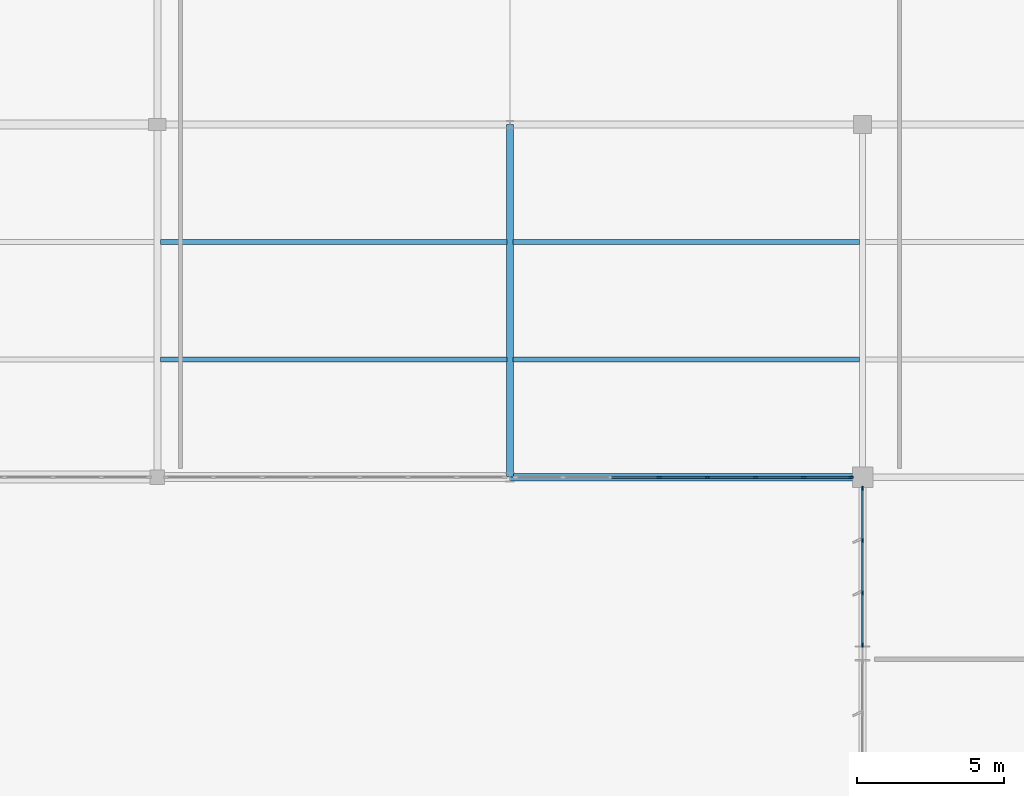
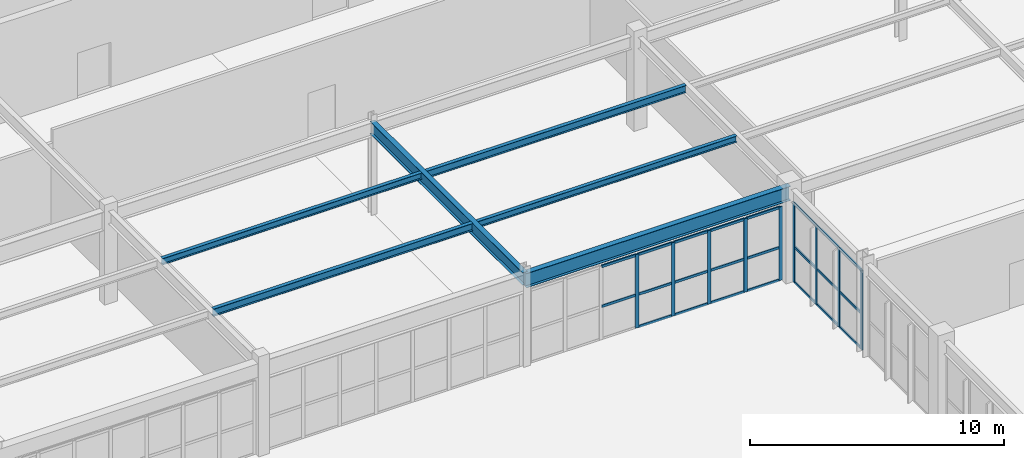
# One storey, part 86 of 199: 32 members, 6 beams, 2 elements without a shape of their own.
"""IFC4 building model written with IfcOpenShell, lengths in metres."""

import ifcopenshell
import ifcopenshell.guid

model = None  # the IFC model being written
_history = None  # IfcOwnerHistory: only IFC2X3 demands one
_inside = {}  # id of a spatial element -> (the spatial element, [elements in it])
_under = {}  # id of a project, library or spatial element -> (it, [spatial elements below it])
_declared = {}  # id of a project -> (the project, [libraries it declares])
_typed = {}  # id of a type object -> (the type object, [elements of that type])
_made_of = {}  # id of a material, layer set ... -> (it, [elements and type objects made of it])


def new_model(schema):
    """Start an empty IFC model of exactly this schema.

    Asked for "IFC4X3", IfcOpenShell would pick the latest addendum, in which some entities
    have other attributes; the version numbers below select the first issue.
    IFC2X3 requires an IfcOwnerHistory on every rooted entity: one is made here for all.
    """
    global model, _history
    if schema == "IFC4X3":
        model = ifcopenshell.file(schema_version=(4, 3, 0, 0))
    else:
        model = ifcopenshell.file(schema=schema)
    _inside.clear()
    _under.clear()
    _declared.clear()
    _typed.clear()
    _made_of.clear()
    _history = None
    if model.schema == "IFC2X3":
        org = make("IfcOrganization", Name="unknown")
        user = make(
            "IfcPersonAndOrganization",
            ThePerson=make("IfcPerson", FamilyName="unknown"),
            TheOrganization=org,
        )
        app = make(
            "IfcApplication",
            ApplicationDeveloper=org,
            Version="unknown",
            ApplicationFullName="unknown",
            ApplicationIdentifier="unknown",
        )
        _history = make(
            "IfcOwnerHistory",
            OwningUser=user,
            OwningApplication=app,
            ChangeAction="ADDED",
            CreationDate=0,
        )
    return model


def make(cls, **values):
    """One entity of the class cls with the attributes given. An attribute that is None is left unset."""
    return model.create_entity(
        cls, **{name: value for name, value in values.items() if value is not None}
    )


def rooted(cls, **values):
    """An entity with a GlobalId (a new one), such as an element, a storey or a relation."""
    return make(cls, GlobalId=ifcopenshell.guid.new(), OwnerHistory=_history, **values)


def si_unit(unit_type, name, prefix=None):
    """IfcSIUnit, for example si_unit("LENGTHUNIT", "METRE", prefix="MILLI")."""
    return make("IfcSIUnit", UnitType=unit_type, Prefix=prefix, Name=name)


def assignment(units):
    """IfcUnitAssignment: the units of a project."""
    return None if units is None else make("IfcUnitAssignment", Units=units)


def point(xyz):
    """IfcCartesianPoint."""
    return None if xyz is None else make("IfcCartesianPoint", Coordinates=xyz)


def direction(xyz):
    """IfcDirection."""
    return None if xyz is None else make("IfcDirection", DirectionRatios=xyz)


def frame(location, z_axis=None, x_axis=None):
    """IfcAxis2Placement3D, a coordinate frame: its origin and axes. An axis left out is left unset."""
    return make(
        "IfcAxis2Placement3D",
        Location=point(location),
        Axis=direction(z_axis),
        RefDirection=direction(x_axis),
    )


def frame_2d(location, x_axis=None):
    """IfcAxis2Placement2D, a coordinate frame in the plane: its origin and x axis."""
    return make(
        "IfcAxis2Placement2D", Location=point(location), RefDirection=direction(x_axis)
    )


def origin():
    """The frame at (0, 0, 0) with its axes left unset."""
    return frame((0.0, 0.0, 0.0))


def origin_2d():
    """The frame at (0, 0) in the plane with its x axis left unset."""
    return frame_2d((0.0, 0.0))


def place(relative_to, where):
    """IfcLocalPlacement: puts the frame where relative to a parent placement (None: the world)."""
    return make(
        "IfcLocalPlacement", PlacementRelTo=relative_to, RelativePlacement=where
    )


def context(
    kind, dimensions, precision=None, world=None, true_north=None, identifier=None
):
    """IfcGeometricRepresentationContext, for example the 3D "Model" context."""
    return make(
        "IfcGeometricRepresentationContext",
        ContextIdentifier=identifier,
        ContextType=kind,
        CoordinateSpaceDimension=dimensions,
        Precision=precision,
        WorldCoordinateSystem=world,
        TrueNorth=true_north,
    )


def subcontext(parent, identifier, kind, view, scale=None):
    """IfcGeometricRepresentationSubContext, for example "Body" below "Model"."""
    return make(
        "IfcGeometricRepresentationSubContext",
        ContextIdentifier=identifier,
        ContextType=kind,
        ParentContext=parent,
        TargetScale=scale,
        TargetView=view,
    )


def project(units=None, contexts=None):
    """IfcProject with its units and contexts."""
    return rooted(
        "IfcProject",
        Name="project",
        RepresentationContexts=contexts,
        UnitsInContext=assignment(units),
    )


def spatial(cls, under=None, at=None, **own):
    """A site, building, storey or space (cls), placed at a placement, below another one or the project."""
    s = rooted(cls, ObjectPlacement=at, **own)
    if under is not None:
        _under.setdefault(under.id(), (under, []))[1].append(s)
    return s


def profile(cls, at=None, kind="AREA", **sizes):
    """A parametric profile (cls). Its sizes go by their IFC names, for example OverallWidth=200.0."""
    return make(cls, ProfileType=kind, Position=at, **sizes)


def rectangle(**sizes):
    """IfcRectangleProfileDef."""
    return profile("IfcRectangleProfileDef", **sizes)


def i_section(**sizes):
    """IfcIShapeProfileDef."""
    return profile("IfcIShapeProfileDef", **sizes)


def extrude(swept, where, along, depth):
    """IfcExtrudedAreaSolid: the profile swept, set in the frame where, extruded along a direction by depth."""
    return make(
        "IfcExtrudedAreaSolid",
        SweptArea=swept,
        Position=where,
        ExtrudedDirection=direction(along),
        Depth=depth,
    )


def shape(context_of_items, identifier, shape_type, items):
    """IfcShapeRepresentation: the items that make up one representation, for example the "Body"."""
    return make(
        "IfcShapeRepresentation",
        ContextOfItems=context_of_items,
        RepresentationIdentifier=identifier,
        RepresentationType=shape_type,
        Items=items,
    )


def material(Name=None, Category=None):
    """IfcMaterial."""
    return make("IfcMaterial", Name=Name, Category=Category)


def layer(
    of_material, thickness, ventilated=None, Name=None, Category=None, Priority=None
):
    """IfcMaterialLayer: one layer of a wall or slab, of a material (None: an air gap)."""
    return make(
        "IfcMaterialLayer",
        Material=of_material,
        LayerThickness=thickness,
        IsVentilated=ventilated,
        Name=Name,
        Category=Category,
        Priority=Priority,
    )


def layer_set(layers, Name=None):
    """IfcMaterialLayerSet."""
    return make("IfcMaterialLayerSet", MaterialLayers=layers, LayerSetName=Name)


def material_profile(
    of_material, cross_section, Name=None, Category=None, Priority=None
):
    """IfcMaterialProfile: a cross section and its material."""
    return make(
        "IfcMaterialProfile",
        Name=Name,
        Material=of_material,
        Profile=cross_section,
        Priority=Priority,
        Category=Category,
    )


def profile_set(profiles, Name=None, composite=None):
    """IfcMaterialProfileSet."""
    return make(
        "IfcMaterialProfileSet",
        Name=Name,
        MaterialProfiles=profiles,
        CompositeProfile=composite,
    )


def made_of(thing, what):
    """Note that an element or type object is made of a material, layer set ...; save() writes the relation."""
    if what is not None:
        _made_of.setdefault(what.id(), (what, []))[1].append(thing)
    return thing


def type_object(cls, material=None, **own):
    """A type object (cls), such as IfcWallType, which elements share."""
    return made_of(rooted(cls, **own), material)


def element(
    cls,
    number,
    at=None,
    inside=None,
    cuts=None,
    type_object=None,
    material=None,
    context=None,
    identifier="Body",
    shape_type=None,
    held_by="IfcProductDefinitionShape",
    body=None,
    shapes=None,
    **own,
):
    """One element of the class cls, such as IfcWall. Its Tag is "e" and its number.

    at: its placement. inside: the storey or other place that contains it. cuts: it is an
    opening in that element (IfcRelVoidsElement). A single representation is given by context,
    identifier, shape_type and body (its items); several are given by shapes. held_by: the class
    of the entity that holds the representations. save() writes the other relations.
    """
    e = rooted(cls, Tag="e%d" % number, ObjectPlacement=at, **own)
    if body is not None:
        shapes = [shape(context, identifier, shape_type, body)]
    if shapes is not None:
        e.Representation = make(held_by, Representations=shapes)
    if inside is not None:
        _inside.setdefault(inside.id(), (inside, []))[1].append(e)
    if cuts is not None:
        rooted(
            "IfcRelVoidsElement", RelatingBuildingElement=cuts, RelatedOpeningElement=e
        )
    if type_object is not None:
        _typed.setdefault(type_object.id(), (type_object, []))[1].append(e)
    return made_of(e, material)


def aggregate(whole, parts):
    """IfcRelAggregates: a whole, such as a stair, and the parts it consists of."""
    return rooted("IfcRelAggregates", RelatingObject=whole, RelatedObjects=parts)


def save(model, path):
    """Write the relations noted so far, then the file.

    IfcRelAggregates (storeys below a building ...), IfcRelContainedInSpatialStructure (elements
    in a storey), IfcRelDefinesByType, IfcRelAssociatesMaterial and IfcRelDeclares: one each for
    every whole, place, type object, material and project.
    """
    for whole, parts in _under.values():
        aggregate(whole, parts)
    for where, things in _inside.values():
        rooted(
            "IfcRelContainedInSpatialStructure",
            RelatedElements=things,
            RelatingStructure=where,
        )
    for kind, things in _typed.values():
        rooted("IfcRelDefinesByType", RelatedObjects=things, RelatingType=kind)
    for what, things in _made_of.values():
        rooted("IfcRelAssociatesMaterial", RelatedObjects=things, RelatingMaterial=what)
    for by, libraries in _declared.values():
        rooted("IfcRelDeclares", RelatingContext=by, RelatedDefinitions=libraries)
    model.write(path)


model = new_model("IFC4")

# Units and contexts
model_context = context("Model", 3, precision=1e-05, world=origin(), true_north=direction((0.0, 1.0)))
body_context = subcontext(model_context, "Body", "Model", "MODEL_VIEW")
ifc_project = project(units=[si_unit("LENGTHUNIT", "METRE"), si_unit("AREAUNIT", "SQUARE_METRE"), si_unit("VOLUMEUNIT", "CUBIC_METRE"), si_unit("PLANEANGLEUNIT", "RADIAN"), si_unit("MASSUNIT", "GRAM", prefix="KILO")], contexts=[model_context])

# Site, building, storey
site_placement = place(None, origin())
site = spatial("IfcSite", under=ifc_project, at=site_placement, CompositionType="ELEMENT")
building_placement = place(site_placement, origin())
building = spatial("IfcBuilding", under=site, at=building_placement, Name="Tarnwether General Hospital", CompositionType="ELEMENT")
storey_placement = place(building_placement, origin())
storey = spatial("IfcBuildingStorey", under=building, at=storey_placement, Name="L00", CompositionType="ELEMENT", Elevation=0.0)

# Beams
ifc_material_1 = material(Name="Steel Grade 350 (350 MPa)", Category="steel")
ifc_material_profile_1 = material_profile(ifc_material_1, i_section(OverallWidth=0.25, OverallDepth=0.69189453125, WebThickness=0.009033203125, FlangeThickness=0.01611328125, at=origin_2d()), Name="700WB115")
ifc_profile_set_1 = profile_set([ifc_material_profile_1], Name="Steel Grade 350 (350 MPa)")
beam_type_1 = type_object("IfcBeamType", Name="BM-G02", PredefinedType="BEAM", material=ifc_profile_set_1)
beam_1_placement = place(storey_placement, frame((96.0, 81.60009765625, 4.09912109375), z_axis=(1.0, 0.0, 0.0), x_axis=(0.0, 1.0, 0.0)))
element("IfcBeam", 1, at=beam_1_placement, inside=storey, type_object=beam_type_1, Name="Primary Girder BMG-L00-9600_8160-10800_8160-0739", PredefinedType="BEAM", context=body_context, shape_type="SweptSolid", body=[
    extrude(i_section(OverallWidth=0.25, OverallDepth=0.69189453125, WebThickness=0.009033203125, FlangeThickness=0.01611328125, at=origin_2d()), origin(), (0.0, 0.0, 1.0), 12.0),
])
ifc_material_2 = material(Name="Steel Grade 350 (350 MPa)", Category="steel")
ifc_material_profile_2 = material_profile(ifc_material_2, i_section(OverallWidth=0.22802734375, OverallDepth=0.60205078125, WebThickness=0.010498046875, FlangeThickness=0.014892578125, at=origin_2d()), Name="610UB101")
ifc_profile_set_2 = profile_set([ifc_material_profile_2], Name="Steel Grade 350 (350 MPa)")
beam_type_2 = type_object("IfcBeamType", Name="BM-G05", PredefinedType="BEAM", material=ifc_profile_set_2)
beam_2_placement = place(storey_placement, frame((96.0, 81.60009765625, 4.14404296875), z_axis=(0.0, 1.0, 0.0), x_axis=(-1.0, 0.0, 0.0)))
element("IfcBeam", 2, at=beam_2_placement, inside=storey, type_object=beam_type_2, Name="Primary Girder BMG-L00-9600_8160-9600_9360-0740", PredefinedType="BEAM", context=body_context, shape_type="SweptSolid", body=[
    extrude(i_section(OverallWidth=0.22802734375, OverallDepth=0.60205078125, WebThickness=0.010498046875, FlangeThickness=0.014892578125, at=origin_2d()), origin(), (0.0, 0.0, 1.0), 12.0),
])
ifc_material_3 = material(Name="Steel Grade 350 (350 MPa)", Category="steel")
ifc_material_profile_3 = material_profile(ifc_material_3, i_section(OverallWidth=0.1708984375, OverallDepth=0.35595703125, WebThickness=0.00732421875, FlangeThickness=0.011474609375, at=origin_2d()), Name="360UB50.7")
ifc_profile_set_3 = profile_set([ifc_material_profile_3], Name="Steel Grade 350 (350 MPa)")
beam_type_3 = type_object("IfcBeamType", Name="BM-J04", PredefinedType="JOIST", material=ifc_profile_set_3)
beam_3_placement = place(storey_placement, frame((84.10791015625, 85.60009765625, 4.26708984375), z_axis=(1.0, 0.0, 0.0), x_axis=(0.0, 1.0, 0.0)))
element("IfcBeam", 3, at=beam_3_placement, inside=storey, type_object=beam_type_3, Name="Composite Floor Joist BMG-L00-8411_8560-9589_8560-0977", PredefinedType="JOIST", context=body_context, shape_type="SweptSolid", body=[
    extrude(i_section(OverallWidth=0.1708984375, OverallDepth=0.35595703125, WebThickness=0.00732421875, FlangeThickness=0.011474609375, at=origin_2d()), origin(), (0.0, 0.0, 1.0), 11.7841796875),
])
ifc_material_4 = material(Name="Steel Grade 350 (350 MPa)", Category="steel")
ifc_material_profile_4 = material_profile(ifc_material_4, i_section(OverallWidth=0.166015625, OverallDepth=0.306884765625, WebThickness=0.006591796875, FlangeThickness=0.01171875, at=origin_2d()), Name="310UB46.2")
ifc_profile_set_4 = profile_set([ifc_material_profile_4], Name="Steel Grade 350 (350 MPa)")
beam_type_4 = type_object("IfcBeamType", Name="BM-J05", PredefinedType="JOIST", material=ifc_profile_set_4)
beam_4_placement = place(storey_placement, frame((84.10791015625, 89.60009765625, 4.29150390625), z_axis=(1.0, 0.0, 0.0), x_axis=(0.0, 1.0, 0.0)))
element("IfcBeam", 4, at=beam_4_placement, inside=storey, type_object=beam_type_4, Name="Composite Floor Joist BMG-L00-8411_8960-9589_8960-0978", PredefinedType="JOIST", context=body_context, shape_type="SweptSolid", body=[
    extrude(i_section(OverallWidth=0.166015625, OverallDepth=0.306884765625, WebThickness=0.006591796875, FlangeThickness=0.01171875, at=origin_2d()), origin(), (0.0, 0.0, 1.0), 11.7841796875),
])
beam_5_placement = place(storey_placement, frame((96.10791015625, 85.60009765625, 4.29150390625), z_axis=(1.0, 0.0, 0.0), x_axis=(0.0, 1.0, 0.0)))
element("IfcBeam", 5, at=beam_5_placement, inside=storey, type_object=beam_type_4, Name="Composite Floor Joist BMG-L00-9611_8560-10790_8560-0985", PredefinedType="JOIST", context=body_context, shape_type="SweptSolid", body=[
    extrude(i_section(OverallWidth=0.166015625, OverallDepth=0.306884765625, WebThickness=0.006591796875, FlangeThickness=0.01171875, at=origin_2d()), origin(), (0.0, 0.0, 1.0), 11.79296875),
])
ifc_material_5 = material(Name="Steel Grade 350 (350 MPa)", Category="steel")
ifc_material_profile_5 = material_profile(ifc_material_5, i_section(OverallWidth=0.1708984375, OverallDepth=0.35205078125, WebThickness=0.0068359375, FlangeThickness=0.009765625, at=origin_2d()), Name="360UB44.7")
ifc_profile_set_5 = profile_set([ifc_material_profile_5], Name="Steel Grade 350 (350 MPa)")
beam_type_5 = type_object("IfcBeamType", Name="BM-J06", PredefinedType="JOIST", material=ifc_profile_set_5)
beam_6_placement = place(storey_placement, frame((96.10791015625, 89.60009765625, 4.26904296875), z_axis=(1.0, 0.0, 0.0), x_axis=(0.0, 1.0, 0.0)))
element("IfcBeam", 6, at=beam_6_placement, inside=storey, type_object=beam_type_5, Name="Composite Floor Joist BMG-L00-9611_8960-10790_8960-0986", PredefinedType="JOIST", context=body_context, shape_type="SweptSolid", body=[
    extrude(i_section(OverallWidth=0.1708984375, OverallDepth=0.35205078125, WebThickness=0.0068359375, FlangeThickness=0.009765625, at=origin_2d()), origin(), (0.0, 0.0, 1.0), 11.79296875),
])

# Curtain wall, members
ifc_material_6 = material(Name="Anodised aluminium", Category="aluminium")
ifc_layer_1 = layer(ifc_material_6, 0.179931640625)
ifc_layer_set_1 = layer_set([ifc_layer_1], Name="Anodised aluminium")
curtain_wall_type_1 = type_object("IfcCurtainWallType", Name="CW-08", PredefinedType="NOTDEFINED", material=ifc_layer_set_1)
curtain_wall_1_placement = place(storey_placement, origin())
curtain_wall_1 = element("IfcCurtainWall", 7, at=curtain_wall_1_placement, inside=storey, type_object=curtain_wall_type_1, Name="Curtain Wall CWG-L00-1080_759-0304", PredefinedType="NOTDEFINED")
ifc_material_7 = material(Name="Anodised aluminium", Category="aluminium")
ifc_material_profile_6 = material_profile(ifc_material_7, rectangle(XDim=0.06005859375, YDim=0.159912109375, at=origin_2d()), Name="ALU-MUL-60x160")
ifc_profile_set_6 = profile_set([ifc_material_profile_6], Name="Anodised aluminium")
member_type_1 = type_object("IfcMemberType", Name="CW-ML1", PredefinedType="MULLION", material=ifc_profile_set_6)
member_1_placement = place(storey_placement, frame((108.0, 75.887939453125, 0.0), z_axis=(0.0, 0.0, 1.0), x_axis=(-1.0, 0.0, 0.0)))
member_1 = element("IfcMember", 8, at=member_1_placement, type_object=member_type_1, Name="CW-08 mullion 1", PredefinedType="MULLION", context=body_context, shape_type="SweptSolid", body=[
    extrude(rectangle(XDim=0.06005859375, YDim=0.159912109375, at=origin_2d()), origin(), (0.0, 0.0, 1.0), 3.827880859375),
])
member_2_placement = place(storey_placement, frame((108.0, 77.652587890625, 0.0), z_axis=(0.0, 0.0, 1.0), x_axis=(-1.0, 0.0, 0.0)))
member_2 = element("IfcMember", 9, at=member_2_placement, type_object=member_type_1, Name="CW-08 mullion 2", PredefinedType="MULLION", context=body_context, shape_type="SweptSolid", body=[
    extrude(rectangle(XDim=0.06005859375, YDim=0.159912109375, at=origin_2d()), origin(), (0.0, 0.0, 1.0), 3.827880859375),
])
member_3_placement = place(storey_placement, frame((108.0, 79.447265625, 0.0), z_axis=(0.0, 0.0, 1.0), x_axis=(-1.0, 0.0, 0.0)))
member_3 = element("IfcMember", 10, at=member_3_placement, type_object=member_type_1, Name="CW-08 mullion 3", PredefinedType="MULLION", context=body_context, shape_type="SweptSolid", body=[
    extrude(rectangle(XDim=0.06005859375, YDim=0.159912109375, at=origin_2d()), origin(), (0.0, 0.0, 1.0), 3.827880859375),
])
member_4_placement = place(storey_placement, frame((108.0, 81.2119140625, 0.0), z_axis=(0.0, 0.0, 1.0), x_axis=(-1.0, 0.0, 0.0)))
member_4 = element("IfcMember", 11, at=member_4_placement, type_object=member_type_1, Name="CW-08 mullion 4", PredefinedType="MULLION", context=body_context, shape_type="SweptSolid", body=[
    extrude(rectangle(XDim=0.06005859375, YDim=0.159912109375, at=origin_2d()), origin(), (0.0, 0.0, 1.0), 3.827880859375),
])

ifc_material_8 = material(Name="Anodised aluminium", Category="aluminium")
ifc_layer_2 = layer(ifc_material_8, 0.159912109375)
ifc_layer_set_2 = layer_set([ifc_layer_2], Name="Anodised aluminium")
curtain_wall_type_2 = type_object("IfcCurtainWallType", Name="CW-23", PredefinedType="NOTDEFINED", material=ifc_layer_set_2)
curtain_wall_2_placement = place(storey_placement, origin())
curtain_wall_2 = element("IfcCurtainWall", 12, at=curtain_wall_2_placement, inside=storey, type_object=curtain_wall_type_2, Name="Curtain Wall CWG-L00-962_816-0308", PredefinedType="NOTDEFINED")
member_5_placement = place(storey_placement, frame((101.080810546875, 81.60009765625, 0.0), z_axis=(0.0, 0.0, 1.0), x_axis=(0.0, 1.0, 0.0)))
member_5 = element("IfcMember", 13, at=member_5_placement, type_object=member_type_1, Name="CW-23 mullion 4", PredefinedType="MULLION", context=body_context, shape_type="SweptSolid", body=[
    extrude(rectangle(XDim=0.06005859375, YDim=0.159912109375, at=origin_2d()), origin(), (0.0, 0.0, 1.0), 3.530029296875),
])
member_6_placement = place(storey_placement, frame((102.72119140625, 81.60009765625, 0.0), z_axis=(0.0, 0.0, 1.0), x_axis=(0.0, 1.0, 0.0)))
member_6 = element("IfcMember", 14, at=member_6_placement, type_object=member_type_1, Name="CW-23 mullion 5", PredefinedType="MULLION", context=body_context, shape_type="SweptSolid", body=[
    extrude(rectangle(XDim=0.06005859375, YDim=0.159912109375, at=origin_2d()), origin(), (0.0, 0.0, 1.0), 3.530029296875),
])
member_7_placement = place(storey_placement, frame((104.361328125, 81.60009765625, 0.0), z_axis=(0.0, 0.0, 1.0), x_axis=(0.0, 1.0, 0.0)))
member_7 = element("IfcMember", 15, at=member_7_placement, type_object=member_type_1, Name="CW-23 mullion 6", PredefinedType="MULLION", context=body_context, shape_type="SweptSolid", body=[
    extrude(rectangle(XDim=0.06005859375, YDim=0.159912109375, at=origin_2d()), origin(), (0.0, 0.0, 1.0), 3.530029296875),
])
member_8_placement = place(storey_placement, frame((106.001708984375, 81.60009765625, 0.0), z_axis=(0.0, 0.0, 1.0), x_axis=(0.0, 1.0, 0.0)))
member_8 = element("IfcMember", 16, at=member_8_placement, type_object=member_type_1, Name="CW-23 mullion 7", PredefinedType="MULLION", context=body_context, shape_type="SweptSolid", body=[
    extrude(rectangle(XDim=0.06005859375, YDim=0.159912109375, at=origin_2d()), origin(), (0.0, 0.0, 1.0), 3.530029296875),
])
member_9_placement = place(storey_placement, frame((107.612060546875, 81.60009765625, 0.0), z_axis=(0.0, 0.0, 1.0), x_axis=(0.0, 1.0, 0.0)))
member_9 = element("IfcMember", 17, at=member_9_placement, type_object=member_type_1, Name="CW-23 mullion 8", PredefinedType="MULLION", context=body_context, shape_type="SweptSolid", body=[
    extrude(rectangle(XDim=0.06005859375, YDim=0.159912109375, at=origin_2d()), origin(), (0.0, 0.0, 1.0), 3.530029296875),
])

# Member
ifc_material_9 = material(Name="Anodised aluminium", Category="aluminium")
ifc_material_profile_7 = material_profile(ifc_material_9, rectangle(XDim=0.06005859375, YDim=0.1201171875, at=origin_2d()), Name="ALU-TRN-60x120")
ifc_profile_set_7 = profile_set([ifc_material_profile_7], Name="Anodised aluminium")
member_type_2 = type_object("IfcMemberType", Name="CW-TR1", PredefinedType="USERDEFINED", material=ifc_profile_set_7)
member_10_placement = place(storey_placement, frame((108.0, 75.91796875, 0.030029296875), z_axis=(0.0, 1.0, 0.0), x_axis=(-1.0, 0.0, 0.0)))
member_10 = element("IfcMember", 18, at=member_10_placement, type_object=member_type_2, Name="CW-08 transom 1.1", ObjectType="TRANSOM", PredefinedType="USERDEFINED", context=body_context, shape_type="SweptSolid", body=[
    extrude(rectangle(XDim=0.06005859375, YDim=0.1201171875, at=origin_2d()), origin(), (0.0, 0.0, 1.0), 1.70458984375),
])

member_11_placement = place(storey_placement, frame((108.0, 75.91796875, 1.72265625), z_axis=(0.0, 1.0, 0.0), x_axis=(-1.0, 0.0, 0.0)))
member_11 = element("IfcMember", 19, at=member_11_placement, type_object=member_type_2, Name="CW-08 transom 1.2", ObjectType="TRANSOM", PredefinedType="USERDEFINED", context=body_context, shape_type="SweptSolid", body=[
    extrude(rectangle(XDim=0.06005859375, YDim=0.1201171875, at=origin_2d()), origin(), (0.0, 0.0, 1.0), 1.70458984375),
])

member_12_placement = place(storey_placement, frame((108.0, 75.91796875, 3.798095703125), z_axis=(0.0, 1.0, 0.0), x_axis=(-1.0, 0.0, 0.0)))
member_12 = element("IfcMember", 20, at=member_12_placement, type_object=member_type_2, Name="CW-08 transom 1.3", ObjectType="TRANSOM", PredefinedType="USERDEFINED", context=body_context, shape_type="SweptSolid", body=[
    extrude(rectangle(XDim=0.06005859375, YDim=0.1201171875, at=origin_2d()), origin(), (0.0, 0.0, 1.0), 1.70458984375),
])

member_13_placement = place(storey_placement, frame((108.0, 77.6826171875, 0.030029296875), z_axis=(0.0, 1.0, 0.0), x_axis=(-1.0, 0.0, 0.0)))
member_13 = element("IfcMember", 21, at=member_13_placement, type_object=member_type_2, Name="CW-08 transom 2.1", ObjectType="TRANSOM", PredefinedType="USERDEFINED", context=body_context, shape_type="SweptSolid", body=[
    extrude(rectangle(XDim=0.06005859375, YDim=0.1201171875, at=origin_2d()), origin(), (0.0, 0.0, 1.0), 1.734619140625),
])

member_14_placement = place(storey_placement, frame((108.0, 77.6826171875, 1.72265625), z_axis=(0.0, 1.0, 0.0), x_axis=(-1.0, 0.0, 0.0)))
member_14 = element("IfcMember", 22, at=member_14_placement, type_object=member_type_2, Name="CW-08 transom 2.2", ObjectType="TRANSOM", PredefinedType="USERDEFINED", context=body_context, shape_type="SweptSolid", body=[
    extrude(rectangle(XDim=0.06005859375, YDim=0.1201171875, at=origin_2d()), origin(), (0.0, 0.0, 1.0), 1.734619140625),
])

member_15_placement = place(storey_placement, frame((108.0, 77.6826171875, 3.798095703125), z_axis=(0.0, 1.0, 0.0), x_axis=(-1.0, 0.0, 0.0)))
member_15 = element("IfcMember", 23, at=member_15_placement, type_object=member_type_2, Name="CW-08 transom 2.3", ObjectType="TRANSOM", PredefinedType="USERDEFINED", context=body_context, shape_type="SweptSolid", body=[
    extrude(rectangle(XDim=0.06005859375, YDim=0.1201171875, at=origin_2d()), origin(), (0.0, 0.0, 1.0), 1.734619140625),
])

member_16_placement = place(storey_placement, frame((108.0, 79.477294921875, 0.030029296875), z_axis=(0.0, 1.0, 0.0), x_axis=(-1.0, 0.0, 0.0)))
member_16 = element("IfcMember", 24, at=member_16_placement, type_object=member_type_2, Name="CW-08 transom 3.1", ObjectType="TRANSOM", PredefinedType="USERDEFINED", context=body_context, shape_type="SweptSolid", body=[
    extrude(rectangle(XDim=0.06005859375, YDim=0.1201171875, at=origin_2d()), origin(), (0.0, 0.0, 1.0), 1.70458984375),
])

member_17_placement = place(storey_placement, frame((108.0, 79.477294921875, 1.72265625), z_axis=(0.0, 1.0, 0.0), x_axis=(-1.0, 0.0, 0.0)))
member_17 = element("IfcMember", 25, at=member_17_placement, type_object=member_type_2, Name="CW-08 transom 3.2", ObjectType="TRANSOM", PredefinedType="USERDEFINED", context=body_context, shape_type="SweptSolid", body=[
    extrude(rectangle(XDim=0.06005859375, YDim=0.1201171875, at=origin_2d()), origin(), (0.0, 0.0, 1.0), 1.70458984375),
])

member_18_placement = place(storey_placement, frame((108.0, 79.477294921875, 3.798095703125), z_axis=(0.0, 1.0, 0.0), x_axis=(-1.0, 0.0, 0.0)))
member_18 = element("IfcMember", 26, at=member_18_placement, type_object=member_type_2, Name="CW-08 transom 3.3", ObjectType="TRANSOM", PredefinedType="USERDEFINED", context=body_context, shape_type="SweptSolid", body=[
    extrude(rectangle(XDim=0.06005859375, YDim=0.1201171875, at=origin_2d()), origin(), (0.0, 0.0, 1.0), 1.70458984375),
])

aggregate(curtain_wall_1, [member_1, member_2, member_3, member_4, member_10, member_11, member_12, member_13, member_14, member_15, member_16, member_17, member_18])

member_19_placement = place(storey_placement, frame((99.470458984375, 81.60009765625, 1.58837890625), z_axis=(1.0, 0.0, 0.0), x_axis=(0.0, 1.0, 0.0)))
member_19 = element("IfcMember", 27, at=member_19_placement, type_object=member_type_2, Name="CW-23 transom 3.2", ObjectType="TRANSOM", PredefinedType="USERDEFINED", context=body_context, shape_type="SweptSolid", body=[
    extrude(rectangle(XDim=0.06005859375, YDim=0.1201171875, at=origin_2d()), origin(), (0.0, 0.0, 1.0), 1.580322265625),
])

member_20_placement = place(storey_placement, frame((99.470458984375, 81.60009765625, 3.5), z_axis=(1.0, 0.0, 0.0), x_axis=(0.0, 1.0, 0.0)))
member_20 = element("IfcMember", 28, at=member_20_placement, type_object=member_type_2, Name="CW-23 transom 3.3", ObjectType="TRANSOM", PredefinedType="USERDEFINED", context=body_context, shape_type="SweptSolid", body=[
    extrude(rectangle(XDim=0.06005859375, YDim=0.1201171875, at=origin_2d()), origin(), (0.0, 0.0, 1.0), 1.580322265625),
])

member_21_placement = place(storey_placement, frame((101.11083984375, 81.60009765625, 0.030029296875), z_axis=(1.0, 0.0, 0.0), x_axis=(0.0, 1.0, 0.0)))
member_21 = element("IfcMember", 29, at=member_21_placement, type_object=member_type_2, Name="CW-23 transom 4.1", ObjectType="TRANSOM", PredefinedType="USERDEFINED", context=body_context, shape_type="SweptSolid", body=[
    extrude(rectangle(XDim=0.06005859375, YDim=0.1201171875, at=origin_2d()), origin(), (0.0, 0.0, 1.0), 1.580322265625),
])

member_22_placement = place(storey_placement, frame((101.11083984375, 81.60009765625, 1.58837890625), z_axis=(1.0, 0.0, 0.0), x_axis=(0.0, 1.0, 0.0)))
member_22 = element("IfcMember", 30, at=member_22_placement, type_object=member_type_2, Name="CW-23 transom 4.2", ObjectType="TRANSOM", PredefinedType="USERDEFINED", context=body_context, shape_type="SweptSolid", body=[
    extrude(rectangle(XDim=0.06005859375, YDim=0.1201171875, at=origin_2d()), origin(), (0.0, 0.0, 1.0), 1.580322265625),
])

member_23_placement = place(storey_placement, frame((101.11083984375, 81.60009765625, 3.5), z_axis=(1.0, 0.0, 0.0), x_axis=(0.0, 1.0, 0.0)))
member_23 = element("IfcMember", 31, at=member_23_placement, type_object=member_type_2, Name="CW-23 transom 4.3", ObjectType="TRANSOM", PredefinedType="USERDEFINED", context=body_context, shape_type="SweptSolid", body=[
    extrude(rectangle(XDim=0.06005859375, YDim=0.1201171875, at=origin_2d()), origin(), (0.0, 0.0, 1.0), 1.580322265625),
])

member_24_placement = place(storey_placement, frame((102.751220703125, 81.60009765625, 0.030029296875), z_axis=(1.0, 0.0, 0.0), x_axis=(0.0, 1.0, 0.0)))
member_24 = element("IfcMember", 32, at=member_24_placement, type_object=member_type_2, Name="CW-23 transom 5.1", ObjectType="TRANSOM", PredefinedType="USERDEFINED", context=body_context, shape_type="SweptSolid", body=[
    extrude(rectangle(XDim=0.06005859375, YDim=0.1201171875, at=origin_2d()), origin(), (0.0, 0.0, 1.0), 1.580322265625),
])

member_25_placement = place(storey_placement, frame((102.751220703125, 81.60009765625, 1.58837890625), z_axis=(1.0, 0.0, 0.0), x_axis=(0.0, 1.0, 0.0)))
member_25 = element("IfcMember", 33, at=member_25_placement, type_object=member_type_2, Name="CW-23 transom 5.2", ObjectType="TRANSOM", PredefinedType="USERDEFINED", context=body_context, shape_type="SweptSolid", body=[
    extrude(rectangle(XDim=0.06005859375, YDim=0.1201171875, at=origin_2d()), origin(), (0.0, 0.0, 1.0), 1.580322265625),
])

member_26_placement = place(storey_placement, frame((102.751220703125, 81.60009765625, 3.5), z_axis=(1.0, 0.0, 0.0), x_axis=(0.0, 1.0, 0.0)))
member_26 = element("IfcMember", 34, at=member_26_placement, type_object=member_type_2, Name="CW-23 transom 5.3", ObjectType="TRANSOM", PredefinedType="USERDEFINED", context=body_context, shape_type="SweptSolid", body=[
    extrude(rectangle(XDim=0.06005859375, YDim=0.1201171875, at=origin_2d()), origin(), (0.0, 0.0, 1.0), 1.580322265625),
])

member_27_placement = place(storey_placement, frame((104.391357421875, 81.60009765625, 0.030029296875), z_axis=(1.0, 0.0, 0.0), x_axis=(0.0, 1.0, 0.0)))
member_27 = element("IfcMember", 35, at=member_27_placement, type_object=member_type_2, Name="CW-23 transom 6.1", ObjectType="TRANSOM", PredefinedType="USERDEFINED", context=body_context, shape_type="SweptSolid", body=[
    extrude(rectangle(XDim=0.06005859375, YDim=0.1201171875, at=origin_2d()), origin(), (0.0, 0.0, 1.0), 1.580322265625),
])

member_28_placement = place(storey_placement, frame((104.391357421875, 81.60009765625, 1.58837890625), z_axis=(1.0, 0.0, 0.0), x_axis=(0.0, 1.0, 0.0)))
member_28 = element("IfcMember", 36, at=member_28_placement, type_object=member_type_2, Name="CW-23 transom 6.2", ObjectType="TRANSOM", PredefinedType="USERDEFINED", context=body_context, shape_type="SweptSolid", body=[
    extrude(rectangle(XDim=0.06005859375, YDim=0.1201171875, at=origin_2d()), origin(), (0.0, 0.0, 1.0), 1.580322265625),
])

member_29_placement = place(storey_placement, frame((104.391357421875, 81.60009765625, 3.5), z_axis=(1.0, 0.0, 0.0), x_axis=(0.0, 1.0, 0.0)))
member_29 = element("IfcMember", 37, at=member_29_placement, type_object=member_type_2, Name="CW-23 transom 6.3", ObjectType="TRANSOM", PredefinedType="USERDEFINED", context=body_context, shape_type="SweptSolid", body=[
    extrude(rectangle(XDim=0.06005859375, YDim=0.1201171875, at=origin_2d()), origin(), (0.0, 0.0, 1.0), 1.580322265625),
])

member_30_placement = place(storey_placement, frame((106.03173828125, 81.60009765625, 0.030029296875), z_axis=(1.0, 0.0, 0.0), x_axis=(0.0, 1.0, 0.0)))
member_30 = element("IfcMember", 38, at=member_30_placement, type_object=member_type_2, Name="CW-23 transom 7.1", ObjectType="TRANSOM", PredefinedType="USERDEFINED", context=body_context, shape_type="SweptSolid", body=[
    extrude(rectangle(XDim=0.06005859375, YDim=0.1201171875, at=origin_2d()), origin(), (0.0, 0.0, 1.0), 1.55029296875),
])

member_31_placement = place(storey_placement, frame((106.03173828125, 81.60009765625, 1.58837890625), z_axis=(1.0, 0.0, 0.0), x_axis=(0.0, 1.0, 0.0)))
member_31 = element("IfcMember", 39, at=member_31_placement, type_object=member_type_2, Name="CW-23 transom 7.2", ObjectType="TRANSOM", PredefinedType="USERDEFINED", context=body_context, shape_type="SweptSolid", body=[
    extrude(rectangle(XDim=0.06005859375, YDim=0.1201171875, at=origin_2d()), origin(), (0.0, 0.0, 1.0), 1.55029296875),
])

member_32_placement = place(storey_placement, frame((106.03173828125, 81.60009765625, 3.5), z_axis=(1.0, 0.0, 0.0), x_axis=(0.0, 1.0, 0.0)))
member_32 = element("IfcMember", 40, at=member_32_placement, type_object=member_type_2, Name="CW-23 transom 7.3", ObjectType="TRANSOM", PredefinedType="USERDEFINED", context=body_context, shape_type="SweptSolid", body=[
    extrude(rectangle(XDim=0.06005859375, YDim=0.1201171875, at=origin_2d()), origin(), (0.0, 0.0, 1.0), 1.55029296875),
])

aggregate(curtain_wall_2, [member_5, member_6, member_7, member_8, member_9, member_19, member_20, member_21, member_22, member_23, member_24, member_25, member_26, member_27, member_28, member_29, member_30, member_31, member_32])

save(model, "model.ifc")
